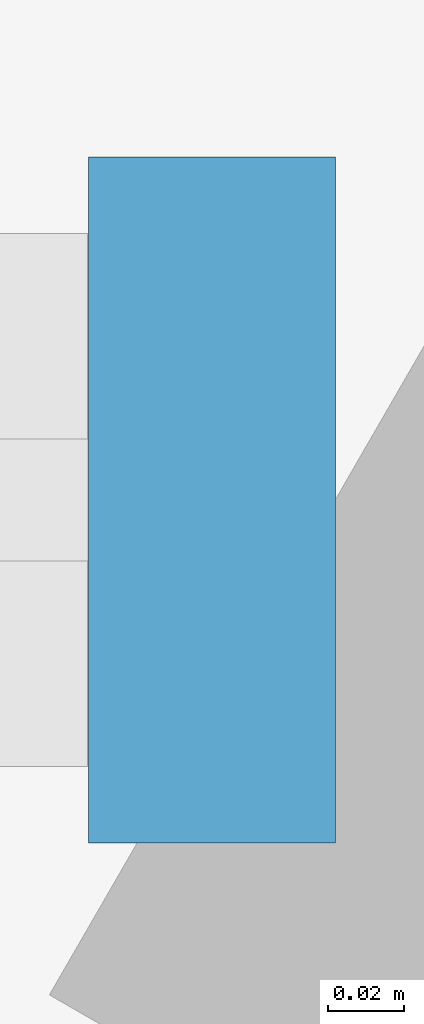
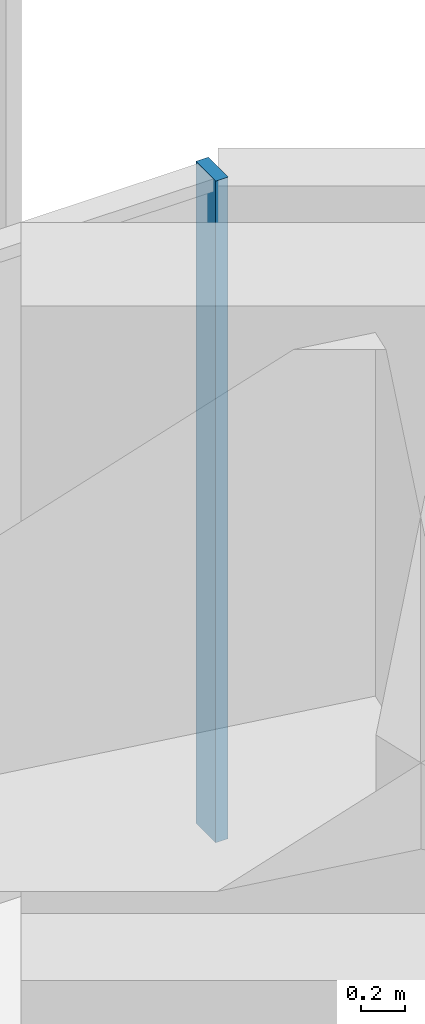
# One storey, part 227 of 238: 1 member, 1 element without a shape of its own.
"""IFC4 building model written with IfcOpenShell, lengths in metres."""

import ifcopenshell
import ifcopenshell.guid

model = None  # the IFC model being written
_history = None  # IfcOwnerHistory: only IFC2X3 demands one
_inside = {}  # id of a spatial element -> (the spatial element, [elements in it])
_under = {}  # id of a project, library or spatial element -> (it, [spatial elements below it])
_declared = {}  # id of a project -> (the project, [libraries it declares])
_typed = {}  # id of a type object -> (the type object, [elements of that type])
_made_of = {}  # id of a material, layer set ... -> (it, [elements and type objects made of it])


def new_model(schema):
    """Start an empty IFC model of exactly this schema.

    Asked for "IFC4X3", IfcOpenShell would pick the latest addendum, in which some entities
    have other attributes; the version numbers below select the first issue.
    IFC2X3 requires an IfcOwnerHistory on every rooted entity: one is made here for all.
    """
    global model, _history
    if schema == "IFC4X3":
        model = ifcopenshell.file(schema_version=(4, 3, 0, 0))
    else:
        model = ifcopenshell.file(schema=schema)
    _inside.clear()
    _under.clear()
    _declared.clear()
    _typed.clear()
    _made_of.clear()
    _history = None
    if model.schema == "IFC2X3":
        org = make("IfcOrganization", Name="unknown")
        user = make(
            "IfcPersonAndOrganization",
            ThePerson=make("IfcPerson", FamilyName="unknown"),
            TheOrganization=org,
        )
        app = make(
            "IfcApplication",
            ApplicationDeveloper=org,
            Version="unknown",
            ApplicationFullName="unknown",
            ApplicationIdentifier="unknown",
        )
        _history = make(
            "IfcOwnerHistory",
            OwningUser=user,
            OwningApplication=app,
            ChangeAction="ADDED",
            CreationDate=0,
        )
    return model


def make(cls, **values):
    """One entity of the class cls with the attributes given. An attribute that is None is left unset."""
    return model.create_entity(
        cls, **{name: value for name, value in values.items() if value is not None}
    )


def rooted(cls, **values):
    """An entity with a GlobalId (a new one), such as an element, a storey or a relation."""
    return make(cls, GlobalId=ifcopenshell.guid.new(), OwnerHistory=_history, **values)


def si_unit(unit_type, name, prefix=None):
    """IfcSIUnit, for example si_unit("LENGTHUNIT", "METRE", prefix="MILLI")."""
    return make("IfcSIUnit", UnitType=unit_type, Prefix=prefix, Name=name)


def assignment(units):
    """IfcUnitAssignment: the units of a project."""
    return None if units is None else make("IfcUnitAssignment", Units=units)


def point(xyz):
    """IfcCartesianPoint."""
    return None if xyz is None else make("IfcCartesianPoint", Coordinates=xyz)


def direction(xyz):
    """IfcDirection."""
    return None if xyz is None else make("IfcDirection", DirectionRatios=xyz)


def frame(location, z_axis=None, x_axis=None):
    """IfcAxis2Placement3D, a coordinate frame: its origin and axes. An axis left out is left unset."""
    return make(
        "IfcAxis2Placement3D",
        Location=point(location),
        Axis=direction(z_axis),
        RefDirection=direction(x_axis),
    )


def frame_2d(location, x_axis=None):
    """IfcAxis2Placement2D, a coordinate frame in the plane: its origin and x axis."""
    return make(
        "IfcAxis2Placement2D", Location=point(location), RefDirection=direction(x_axis)
    )


def origin():
    """The frame at (0, 0, 0) with its axes left unset."""
    return frame((0.0, 0.0, 0.0))


def origin_2d():
    """The frame at (0, 0) in the plane with its x axis left unset."""
    return frame_2d((0.0, 0.0))


def place(relative_to, where):
    """IfcLocalPlacement: puts the frame where relative to a parent placement (None: the world)."""
    return make(
        "IfcLocalPlacement", PlacementRelTo=relative_to, RelativePlacement=where
    )


def context(
    kind, dimensions, precision=None, world=None, true_north=None, identifier=None
):
    """IfcGeometricRepresentationContext, for example the 3D "Model" context."""
    return make(
        "IfcGeometricRepresentationContext",
        ContextIdentifier=identifier,
        ContextType=kind,
        CoordinateSpaceDimension=dimensions,
        Precision=precision,
        WorldCoordinateSystem=world,
        TrueNorth=true_north,
    )


def subcontext(parent, identifier, kind, view, scale=None):
    """IfcGeometricRepresentationSubContext, for example "Body" below "Model"."""
    return make(
        "IfcGeometricRepresentationSubContext",
        ContextIdentifier=identifier,
        ContextType=kind,
        ParentContext=parent,
        TargetScale=scale,
        TargetView=view,
    )


def project(units=None, contexts=None):
    """IfcProject with its units and contexts."""
    return rooted(
        "IfcProject",
        Name="project",
        RepresentationContexts=contexts,
        UnitsInContext=assignment(units),
    )


def spatial(cls, under=None, at=None, **own):
    """A site, building, storey or space (cls), placed at a placement, below another one or the project."""
    s = rooted(cls, ObjectPlacement=at, **own)
    if under is not None:
        _under.setdefault(under.id(), (under, []))[1].append(s)
    return s


def profile(cls, at=None, kind="AREA", **sizes):
    """A parametric profile (cls). Its sizes go by their IFC names, for example OverallWidth=200.0."""
    return make(cls, ProfileType=kind, Position=at, **sizes)


def rectangle(**sizes):
    """IfcRectangleProfileDef."""
    return profile("IfcRectangleProfileDef", **sizes)


def extrude(swept, where, along, depth):
    """IfcExtrudedAreaSolid: the profile swept, set in the frame where, extruded along a direction by depth."""
    return make(
        "IfcExtrudedAreaSolid",
        SweptArea=swept,
        Position=where,
        ExtrudedDirection=direction(along),
        Depth=depth,
    )


def shape(context_of_items, identifier, shape_type, items):
    """IfcShapeRepresentation: the items that make up one representation, for example the "Body"."""
    return make(
        "IfcShapeRepresentation",
        ContextOfItems=context_of_items,
        RepresentationIdentifier=identifier,
        RepresentationType=shape_type,
        Items=items,
    )


def material(Name=None, Category=None):
    """IfcMaterial."""
    return make("IfcMaterial", Name=Name, Category=Category)


def material_profile(
    of_material, cross_section, Name=None, Category=None, Priority=None
):
    """IfcMaterialProfile: a cross section and its material."""
    return make(
        "IfcMaterialProfile",
        Name=Name,
        Material=of_material,
        Profile=cross_section,
        Priority=Priority,
        Category=Category,
    )


def profile_set(profiles, Name=None, composite=None):
    """IfcMaterialProfileSet."""
    return make(
        "IfcMaterialProfileSet",
        Name=Name,
        MaterialProfiles=profiles,
        CompositeProfile=composite,
    )


def made_of(thing, what):
    """Note that an element or type object is made of a material, layer set ...; save() writes the relation."""
    if what is not None:
        _made_of.setdefault(what.id(), (what, []))[1].append(thing)
    return thing


def type_object(cls, material=None, **own):
    """A type object (cls), such as IfcWallType, which elements share."""
    return made_of(rooted(cls, **own), material)


def element(
    cls,
    number,
    at=None,
    inside=None,
    cuts=None,
    type_object=None,
    material=None,
    context=None,
    identifier="Body",
    shape_type=None,
    held_by="IfcProductDefinitionShape",
    body=None,
    shapes=None,
    **own,
):
    """One element of the class cls, such as IfcWall. Its Tag is "e" and its number.

    at: its placement. inside: the storey or other place that contains it. cuts: it is an
    opening in that element (IfcRelVoidsElement). A single representation is given by context,
    identifier, shape_type and body (its items); several are given by shapes. held_by: the class
    of the entity that holds the representations. save() writes the other relations.
    """
    e = rooted(cls, Tag="e%d" % number, ObjectPlacement=at, **own)
    if body is not None:
        shapes = [shape(context, identifier, shape_type, body)]
    if shapes is not None:
        e.Representation = make(held_by, Representations=shapes)
    if inside is not None:
        _inside.setdefault(inside.id(), (inside, []))[1].append(e)
    if cuts is not None:
        rooted(
            "IfcRelVoidsElement", RelatingBuildingElement=cuts, RelatedOpeningElement=e
        )
    if type_object is not None:
        _typed.setdefault(type_object.id(), (type_object, []))[1].append(e)
    return made_of(e, material)


def aggregate(whole, parts):
    """IfcRelAggregates: a whole, such as a stair, and the parts it consists of."""
    return rooted("IfcRelAggregates", RelatingObject=whole, RelatedObjects=parts)


def save(model, path):
    """Write the relations noted so far, then the file.

    IfcRelAggregates (storeys below a building ...), IfcRelContainedInSpatialStructure (elements
    in a storey), IfcRelDefinesByType, IfcRelAssociatesMaterial and IfcRelDeclares: one each for
    every whole, place, type object, material and project.
    """
    for whole, parts in _under.values():
        aggregate(whole, parts)
    for where, things in _inside.values():
        rooted(
            "IfcRelContainedInSpatialStructure",
            RelatedElements=things,
            RelatingStructure=where,
        )
    for kind, things in _typed.values():
        rooted("IfcRelDefinesByType", RelatedObjects=things, RelatingType=kind)
    for what, things in _made_of.values():
        rooted("IfcRelAssociatesMaterial", RelatedObjects=things, RelatingMaterial=what)
    for by, libraries in _declared.values():
        rooted("IfcRelDeclares", RelatingContext=by, RelatedDefinitions=libraries)
    model.write(path)


model = new_model("IFC4")

# Units and contexts
model_context = context("Model", 3, precision=1e-05, world=origin(), true_north=direction((0.0, 1.0)))
body_context = subcontext(model_context, "Body", "Model", "MODEL_VIEW")
ifc_project = project(units=[si_unit("LENGTHUNIT", "METRE"), si_unit("AREAUNIT", "SQUARE_METRE"), si_unit("VOLUMEUNIT", "CUBIC_METRE"), si_unit("PLANEANGLEUNIT", "RADIAN"), si_unit("MASSUNIT", "GRAM", prefix="KILO")], contexts=[model_context])

# Site, building, storey
site_placement = place(None, origin())
site = spatial("IfcSite", under=ifc_project, at=site_placement, CompositionType="ELEMENT")
building_placement = place(site_placement, origin())
building = spatial("IfcBuilding", under=site, at=building_placement, Name="Sandreach Pilgrim Tower", CompositionType="ELEMENT")
storey_placement = place(building_placement, frame((0.0, 0.0, 96.800048828125)))
storey = spatial("IfcBuildingStorey", under=building, at=storey_placement, Name="L23", CompositionType="ELEMENT", Elevation=96.800048828125)

# Curtain wall, member
ifc_material_1 = material(Name="Aluminium framed curtain wall", Category="aluminium")
curtain_wall_type = type_object("IfcCurtainWallType", Name="Hotel tower curtain wall", PredefinedType="NOTDEFINED", material=ifc_material_1)
curtain_wall_placement = place(storey_placement, origin())
curtain_wall = element("IfcCurtainWall", 1, at=curtain_wall_placement, inside=storey, type_object=curtain_wall_type, Name="CW-2 L23 N", PredefinedType="NOTDEFINED")
ifc_material_2 = material(Name="Aluminium extrusion", Category="aluminium")
ifc_material_profile = material_profile(ifc_material_2, rectangle(XDim=0.06494140625, YDim=0.179931640625, at=origin_2d()), Name="CW-2M 65X180")
ifc_profile_set = profile_set([ifc_material_profile], Name="Aluminium extrusion")
member_type = type_object("IfcMemberType", Name="CW-2 mullion", PredefinedType="MULLION", material=ifc_profile_set)
member_placement = place(storey_placement, frame((18.448974609375, 22.493896484375, 0.0), z_axis=(0.0, 0.0, 1.0), x_axis=(1.0, 0.0, 0.0)))
member = element("IfcMember", 2, at=member_placement, type_object=member_type, Name="CW-2 mullion 10", PredefinedType="MULLION", context=body_context, shape_type="SweptSolid", body=[
    extrude(rectangle(XDim=0.06494140625, YDim=0.179931640625, at=origin_2d()), origin(), (0.0, 0.0, 1.0), 3.639892578125),
])
aggregate(curtain_wall, [member])

save(model, "model.ifc")
